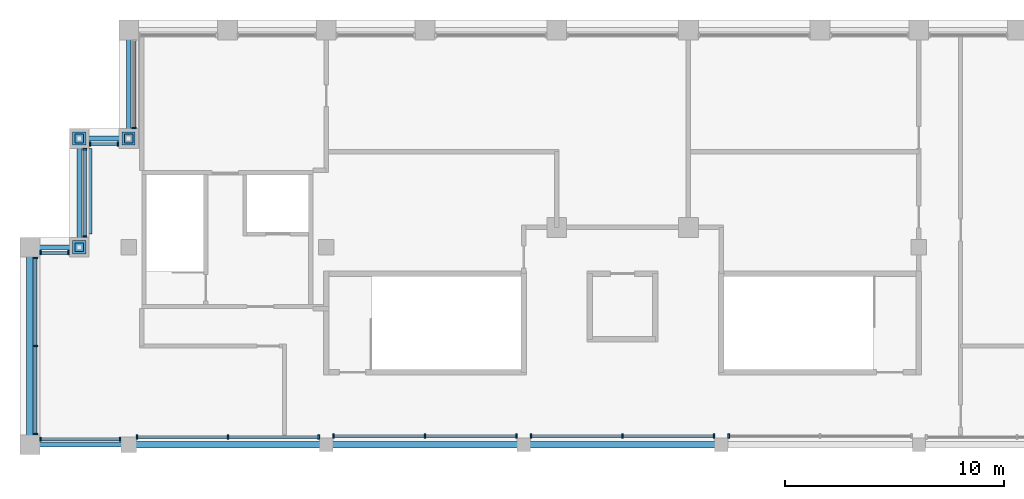
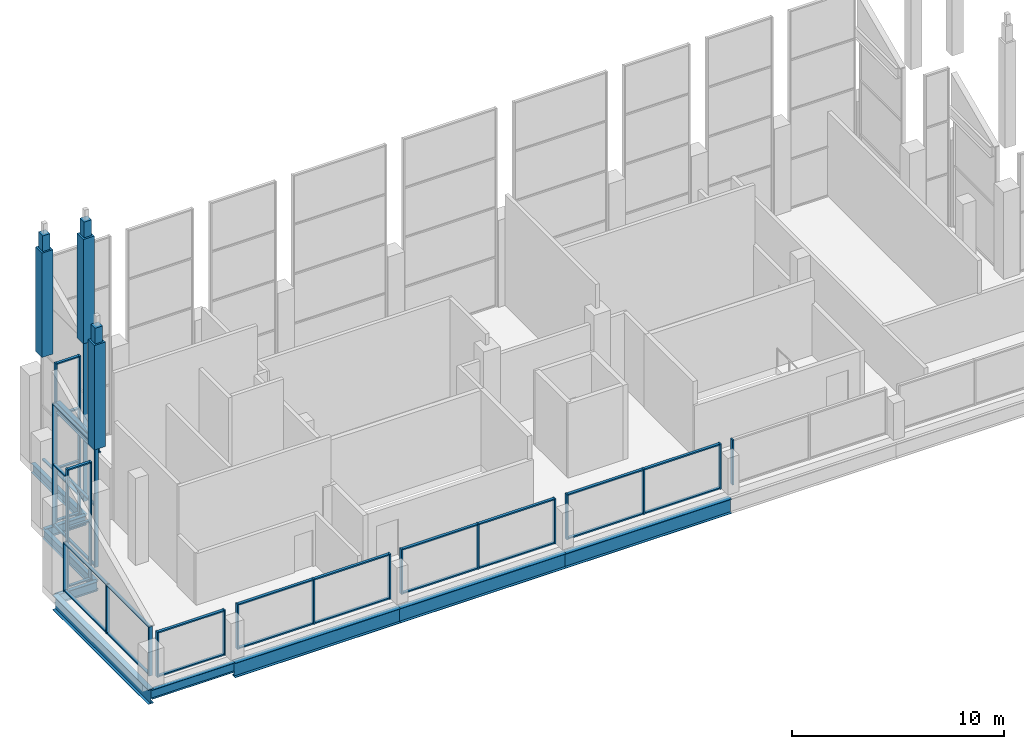
# One storey, part 2 of 9: 57 members, 10 beams, 10 elements without a shape of their own.
"""IFC4 building model written with IfcOpenShell, lengths in metres."""

import ifcopenshell
import ifcopenshell.guid

model = None  # the IFC model being written
_history = None  # IfcOwnerHistory: only IFC2X3 demands one
_inside = {}  # id of a spatial element -> (the spatial element, [elements in it])
_under = {}  # id of a project, library or spatial element -> (it, [spatial elements below it])
_declared = {}  # id of a project -> (the project, [libraries it declares])
_typed = {}  # id of a type object -> (the type object, [elements of that type])
_made_of = {}  # id of a material, layer set ... -> (it, [elements and type objects made of it])


def new_model(schema):
    """Start an empty IFC model of exactly this schema.

    Asked for "IFC4X3", IfcOpenShell would pick the latest addendum, in which some entities
    have other attributes; the version numbers below select the first issue.
    IFC2X3 requires an IfcOwnerHistory on every rooted entity: one is made here for all.
    """
    global model, _history
    if schema == "IFC4X3":
        model = ifcopenshell.file(schema_version=(4, 3, 0, 0))
    else:
        model = ifcopenshell.file(schema=schema)
    _inside.clear()
    _under.clear()
    _declared.clear()
    _typed.clear()
    _made_of.clear()
    _history = None
    if model.schema == "IFC2X3":
        org = make("IfcOrganization", Name="unknown")
        user = make(
            "IfcPersonAndOrganization",
            ThePerson=make("IfcPerson", FamilyName="unknown"),
            TheOrganization=org,
        )
        app = make(
            "IfcApplication",
            ApplicationDeveloper=org,
            Version="unknown",
            ApplicationFullName="unknown",
            ApplicationIdentifier="unknown",
        )
        _history = make(
            "IfcOwnerHistory",
            OwningUser=user,
            OwningApplication=app,
            ChangeAction="ADDED",
            CreationDate=0,
        )
    return model


def make(cls, **values):
    """One entity of the class cls with the attributes given. An attribute that is None is left unset."""
    return model.create_entity(
        cls, **{name: value for name, value in values.items() if value is not None}
    )


def rooted(cls, **values):
    """An entity with a GlobalId (a new one), such as an element, a storey or a relation."""
    return make(cls, GlobalId=ifcopenshell.guid.new(), OwnerHistory=_history, **values)


def si_unit(unit_type, name, prefix=None):
    """IfcSIUnit, for example si_unit("LENGTHUNIT", "METRE", prefix="MILLI")."""
    return make("IfcSIUnit", UnitType=unit_type, Prefix=prefix, Name=name)


def assignment(units):
    """IfcUnitAssignment: the units of a project."""
    return None if units is None else make("IfcUnitAssignment", Units=units)


def point(xyz):
    """IfcCartesianPoint."""
    return None if xyz is None else make("IfcCartesianPoint", Coordinates=xyz)


def direction(xyz):
    """IfcDirection."""
    return None if xyz is None else make("IfcDirection", DirectionRatios=xyz)


def frame(location, z_axis=None, x_axis=None):
    """IfcAxis2Placement3D, a coordinate frame: its origin and axes. An axis left out is left unset."""
    return make(
        "IfcAxis2Placement3D",
        Location=point(location),
        Axis=direction(z_axis),
        RefDirection=direction(x_axis),
    )


def frame_2d(location, x_axis=None):
    """IfcAxis2Placement2D, a coordinate frame in the plane: its origin and x axis."""
    return make(
        "IfcAxis2Placement2D", Location=point(location), RefDirection=direction(x_axis)
    )


def origin():
    """The frame at (0, 0, 0) with its axes left unset."""
    return frame((0.0, 0.0, 0.0))


def origin_2d():
    """The frame at (0, 0) in the plane with its x axis left unset."""
    return frame_2d((0.0, 0.0))


def place(relative_to, where):
    """IfcLocalPlacement: puts the frame where relative to a parent placement (None: the world)."""
    return make(
        "IfcLocalPlacement", PlacementRelTo=relative_to, RelativePlacement=where
    )


def context(
    kind, dimensions, precision=None, world=None, true_north=None, identifier=None
):
    """IfcGeometricRepresentationContext, for example the 3D "Model" context."""
    return make(
        "IfcGeometricRepresentationContext",
        ContextIdentifier=identifier,
        ContextType=kind,
        CoordinateSpaceDimension=dimensions,
        Precision=precision,
        WorldCoordinateSystem=world,
        TrueNorth=true_north,
    )


def subcontext(parent, identifier, kind, view, scale=None):
    """IfcGeometricRepresentationSubContext, for example "Body" below "Model"."""
    return make(
        "IfcGeometricRepresentationSubContext",
        ContextIdentifier=identifier,
        ContextType=kind,
        ParentContext=parent,
        TargetScale=scale,
        TargetView=view,
    )


def project(units=None, contexts=None):
    """IfcProject with its units and contexts."""
    return rooted(
        "IfcProject",
        Name="project",
        RepresentationContexts=contexts,
        UnitsInContext=assignment(units),
    )


def spatial(cls, under=None, at=None, **own):
    """A site, building, storey or space (cls), placed at a placement, below another one or the project."""
    s = rooted(cls, ObjectPlacement=at, **own)
    if under is not None:
        _under.setdefault(under.id(), (under, []))[1].append(s)
    return s


def profile(cls, at=None, kind="AREA", **sizes):
    """A parametric profile (cls). Its sizes go by their IFC names, for example OverallWidth=200.0."""
    return make(cls, ProfileType=kind, Position=at, **sizes)


def rectangle(**sizes):
    """IfcRectangleProfileDef."""
    return profile("IfcRectangleProfileDef", **sizes)


def i_section(**sizes):
    """IfcIShapeProfileDef."""
    return profile("IfcIShapeProfileDef", **sizes)


def extrude(swept, where, along, depth):
    """IfcExtrudedAreaSolid: the profile swept, set in the frame where, extruded along a direction by depth."""
    return make(
        "IfcExtrudedAreaSolid",
        SweptArea=swept,
        Position=where,
        ExtrudedDirection=direction(along),
        Depth=depth,
    )


def shape(context_of_items, identifier, shape_type, items):
    """IfcShapeRepresentation: the items that make up one representation, for example the "Body"."""
    return make(
        "IfcShapeRepresentation",
        ContextOfItems=context_of_items,
        RepresentationIdentifier=identifier,
        RepresentationType=shape_type,
        Items=items,
    )


def material(Name=None, Category=None):
    """IfcMaterial."""
    return make("IfcMaterial", Name=Name, Category=Category)


def layer(
    of_material, thickness, ventilated=None, Name=None, Category=None, Priority=None
):
    """IfcMaterialLayer: one layer of a wall or slab, of a material (None: an air gap)."""
    return make(
        "IfcMaterialLayer",
        Material=of_material,
        LayerThickness=thickness,
        IsVentilated=ventilated,
        Name=Name,
        Category=Category,
        Priority=Priority,
    )


def layer_set(layers, Name=None):
    """IfcMaterialLayerSet."""
    return make("IfcMaterialLayerSet", MaterialLayers=layers, LayerSetName=Name)


def material_profile(
    of_material, cross_section, Name=None, Category=None, Priority=None
):
    """IfcMaterialProfile: a cross section and its material."""
    return make(
        "IfcMaterialProfile",
        Name=Name,
        Material=of_material,
        Profile=cross_section,
        Priority=Priority,
        Category=Category,
    )


def profile_set(profiles, Name=None, composite=None):
    """IfcMaterialProfileSet."""
    return make(
        "IfcMaterialProfileSet",
        Name=Name,
        MaterialProfiles=profiles,
        CompositeProfile=composite,
    )


def made_of(thing, what):
    """Note that an element or type object is made of a material, layer set ...; save() writes the relation."""
    if what is not None:
        _made_of.setdefault(what.id(), (what, []))[1].append(thing)
    return thing


def type_object(cls, material=None, **own):
    """A type object (cls), such as IfcWallType, which elements share."""
    return made_of(rooted(cls, **own), material)


def element(
    cls,
    number,
    at=None,
    inside=None,
    cuts=None,
    type_object=None,
    material=None,
    context=None,
    identifier="Body",
    shape_type=None,
    held_by="IfcProductDefinitionShape",
    body=None,
    shapes=None,
    **own,
):
    """One element of the class cls, such as IfcWall. Its Tag is "e" and its number.

    at: its placement. inside: the storey or other place that contains it. cuts: it is an
    opening in that element (IfcRelVoidsElement). A single representation is given by context,
    identifier, shape_type and body (its items); several are given by shapes. held_by: the class
    of the entity that holds the representations. save() writes the other relations.
    """
    e = rooted(cls, Tag="e%d" % number, ObjectPlacement=at, **own)
    if body is not None:
        shapes = [shape(context, identifier, shape_type, body)]
    if shapes is not None:
        e.Representation = make(held_by, Representations=shapes)
    if inside is not None:
        _inside.setdefault(inside.id(), (inside, []))[1].append(e)
    if cuts is not None:
        rooted(
            "IfcRelVoidsElement", RelatingBuildingElement=cuts, RelatedOpeningElement=e
        )
    if type_object is not None:
        _typed.setdefault(type_object.id(), (type_object, []))[1].append(e)
    return made_of(e, material)


def aggregate(whole, parts):
    """IfcRelAggregates: a whole, such as a stair, and the parts it consists of."""
    return rooted("IfcRelAggregates", RelatingObject=whole, RelatedObjects=parts)


def save(model, path):
    """Write the relations noted so far, then the file.

    IfcRelAggregates (storeys below a building ...), IfcRelContainedInSpatialStructure (elements
    in a storey), IfcRelDefinesByType, IfcRelAssociatesMaterial and IfcRelDeclares: one each for
    every whole, place, type object, material and project.
    """
    for whole, parts in _under.values():
        aggregate(whole, parts)
    for where, things in _inside.values():
        rooted(
            "IfcRelContainedInSpatialStructure",
            RelatedElements=things,
            RelatingStructure=where,
        )
    for kind, things in _typed.values():
        rooted("IfcRelDefinesByType", RelatedObjects=things, RelatingType=kind)
    for what, things in _made_of.values():
        rooted("IfcRelAssociatesMaterial", RelatedObjects=things, RelatingMaterial=what)
    for by, libraries in _declared.values():
        rooted("IfcRelDeclares", RelatingContext=by, RelatedDefinitions=libraries)
    model.write(path)


model = new_model("IFC4")

# Units and contexts
model_context = context("Model", 3, precision=1e-05, world=origin(), true_north=direction((0.0, 1.0)))
body_context = subcontext(model_context, "Body", "Model", "MODEL_VIEW")
ifc_project = project(units=[si_unit("LENGTHUNIT", "METRE"), si_unit("AREAUNIT", "SQUARE_METRE"), si_unit("VOLUMEUNIT", "CUBIC_METRE"), si_unit("PLANEANGLEUNIT", "RADIAN"), si_unit("MASSUNIT", "GRAM", prefix="KILO")], contexts=[model_context])

# Site, building, storey
site_placement = place(None, origin())
site = spatial("IfcSite", under=ifc_project, at=site_placement, CompositionType="ELEMENT")
building_placement = place(site_placement, origin())
building = spatial("IfcBuilding", under=site, at=building_placement, Name="Corbelhall Arena Tower", CompositionType="ELEMENT")
storey_placement = place(building_placement, frame((0.0, 0.0, 386.0)))
storey = spatial("IfcBuildingStorey", under=building, at=storey_placement, Name="L83", CompositionType="ELEMENT", Elevation=386.0)

# Curtain wall, members
ifc_material_1 = material(Name="Aluminium black anodised", Category="aluminium")
ifc_layer = layer(ifc_material_1, 0.179931640625)
ifc_layer_set = layer_set([ifc_layer], Name="EV-CW3 Crown glazing")
curtain_wall_type = type_object("IfcCurtainWallType", Name="EV-CW3 Crown glazing", PredefinedType="NOTDEFINED", material=ifc_layer_set)
curtain_wall_1_placement = place(storey_placement, origin())
curtain_wall_1 = element("IfcCurtainWall", 1, at=curtain_wall_1_placement, inside=storey, type_object=curtain_wall_type, Name="Curtain wall CW3G", PredefinedType="NOTDEFINED")
ifc_material_profile_1 = material_profile(ifc_material_1, rectangle(XDim=0.199951171875, YDim=0.074951171875, at=origin_2d()))
ifc_profile_set_1 = profile_set([ifc_material_profile_1], Name="Aluminium black anodised")
member_type_1 = type_object("IfcMemberType", Name="EV-CW3-MULLION", PredefinedType="MULLION", material=ifc_profile_set_1)
member_1_placement = place(storey_placement, frame((-24.5, 22.46240234375, 0.0), z_axis=(0.0, 0.0, 1.0), x_axis=(1.0, 0.0, 0.0)))
member_1 = element("IfcMember", 2, at=member_1_placement, type_object=member_type_1, Name="CW3G mullion 1", PredefinedType="MULLION", context=body_context, shape_type="SweptSolid", body=[
    extrude(rectangle(XDim=0.199951171875, YDim=0.074951171875, at=origin_2d()), origin(), (0.0, 0.0, 1.0), 7.02001953125),
])
member_2_placement = place(storey_placement, frame((-24.5, 18.487548828125, 0.0), z_axis=(0.0, 0.0, 1.0), x_axis=(1.0, 0.0, 0.0)))
member_2 = element("IfcMember", 3, at=member_2_placement, type_object=member_type_1, Name="CW3G mullion 2", PredefinedType="MULLION", context=body_context, shape_type="SweptSolid", body=[
    extrude(rectangle(XDim=0.199951171875, YDim=0.074951171875, at=origin_2d()), origin(), (0.0, 0.0, 1.0), 7.02001953125),
])

curtain_wall_2_placement = place(storey_placement, origin())
curtain_wall_2 = element("IfcCurtainWall", 4, at=curtain_wall_2_placement, inside=storey, type_object=curtain_wall_type, Name="Curtain wall CW3C", PredefinedType="NOTDEFINED")
member_3_placement = place(storey_placement, frame((-25.237548828125, 17.75, 0.0), z_axis=(0.0, 0.0, 1.0), x_axis=(0.0, -1.0, 0.0)))
member_3 = element("IfcMember", 5, at=member_3_placement, type_object=member_type_1, Name="CW3C mullion 1", PredefinedType="MULLION", context=body_context, shape_type="SweptSolid", body=[
    extrude(rectangle(XDim=0.199951171875, YDim=0.074951171875, at=origin_2d()), origin(), (0.0, 0.0, 1.0), 6.787109375),
])
member_4_placement = place(storey_placement, frame((-26.512451171875, 17.75, 0.0), z_axis=(0.0, 0.0, 1.0), x_axis=(0.0, -1.0, 0.0)))
member_4 = element("IfcMember", 6, at=member_4_placement, type_object=member_type_1, Name="CW3C mullion 2", PredefinedType="MULLION", context=body_context, shape_type="SweptSolid", body=[
    extrude(rectangle(XDim=0.199951171875, YDim=0.074951171875, at=origin_2d()), origin(), (0.0, 0.0, 1.0), 6.787109375),
])

curtain_wall_3_placement = place(storey_placement, origin())
curtain_wall_3 = element("IfcCurtainWall", 7, at=curtain_wall_3_placement, inside=storey, type_object=curtain_wall_type, Name="Curtain wall CW3F", PredefinedType="NOTDEFINED")
member_5_placement = place(storey_placement, frame((-26.75, 17.512451171875, 0.0), z_axis=(0.0, 0.0, 1.0), x_axis=(1.0, 0.0, 0.0)))
member_5 = element("IfcMember", 8, at=member_5_placement, type_object=member_type_1, Name="CW3F mullion 1", PredefinedType="MULLION", context=body_context, shape_type="SweptSolid", body=[
    extrude(rectangle(XDim=0.199951171875, YDim=0.074951171875, at=origin_2d()), origin(), (0.0, 0.0, 1.0), 2.826416015625),
])
member_6_placement = place(storey_placement, frame((-26.75, 13.5, 0.0), z_axis=(0.0, 0.0, 1.0), x_axis=(1.0, 0.0, 0.0)))
member_6 = element("IfcMember", 9, at=member_6_placement, type_object=member_type_1, Name="CW3F mullion 2", PredefinedType="MULLION", context=body_context, shape_type="SweptSolid", body=[
    extrude(rectangle(XDim=0.199951171875, YDim=0.074951171875, at=origin_2d()), origin(), (0.0, 0.0, 1.0), 2.826416015625),
])
member_7_placement = place(storey_placement, frame((-26.75, 9.487548828125, 0.0), z_axis=(0.0, 0.0, 1.0), x_axis=(1.0, 0.0, 0.0)))
member_7 = element("IfcMember", 10, at=member_7_placement, type_object=member_type_1, Name="CW3F mullion 3", PredefinedType="MULLION", context=body_context, shape_type="SweptSolid", body=[
    extrude(rectangle(XDim=0.199951171875, YDim=0.074951171875, at=origin_2d()), origin(), (0.0, 0.0, 1.0), 2.826416015625),
])

curtain_wall_4_placement = place(storey_placement, origin())
curtain_wall_4 = element("IfcCurtainWall", 11, at=curtain_wall_4_placement, inside=storey, type_object=curtain_wall_type, Name="Curtain wall CW3E", PredefinedType="NOTDEFINED")
member_8_placement = place(storey_placement, frame((-26.512451171875, 9.25, 0.0), z_axis=(0.0, 0.0, 1.0), x_axis=(0.0, 1.0, 0.0)))
member_8 = element("IfcMember", 12, at=member_8_placement, type_object=member_type_1, Name="CW3E mullion 1", PredefinedType="MULLION", context=body_context, shape_type="SweptSolid", body=[
    extrude(rectangle(XDim=0.199951171875, YDim=0.074951171875, at=origin_2d()), origin(), (0.0, 0.0, 1.0), 2.593505859375),
])
member_9_placement = place(storey_placement, frame((-22.887451171875, 9.25, 0.0), z_axis=(0.0, 0.0, 1.0), x_axis=(0.0, 1.0, 0.0)))
member_9 = element("IfcMember", 13, at=member_9_placement, type_object=member_type_1, Name="CW3E mullion 2", PredefinedType="MULLION", context=body_context, shape_type="SweptSolid", body=[
    extrude(rectangle(XDim=0.199951171875, YDim=0.074951171875, at=origin_2d()), origin(), (0.0, 0.0, 1.0), 2.593505859375),
])

curtain_wall_5_placement = place(storey_placement, origin())
curtain_wall_5 = element("IfcCurtainWall", 14, at=curtain_wall_5_placement, inside=storey, type_object=curtain_wall_type, Name="Curtain wall CW3I", PredefinedType="NOTDEFINED")
member_10_placement = place(storey_placement, frame((-22.112548828125, 9.35009765625, 0.0), z_axis=(0.0, 0.0, 1.0), x_axis=(0.0, 1.0, 0.0)))
member_10 = element("IfcMember", 15, at=member_10_placement, type_object=member_type_1, Name="CW3I mullion 1", PredefinedType="MULLION", context=body_context, shape_type="SweptSolid", body=[
    extrude(rectangle(XDim=0.199951171875, YDim=0.074951171875, at=origin_2d()), origin(), (0.0, 0.0, 1.0), 2.593505859375),
])
member_11_placement = place(storey_placement, frame((-17.97509765625, 9.35009765625, 0.0), z_axis=(0.0, 0.0, 1.0), x_axis=(0.0, 1.0, 0.0)))
member_11 = element("IfcMember", 16, at=member_11_placement, type_object=member_type_1, Name="CW3I mullion 2", PredefinedType="MULLION", context=body_context, shape_type="SweptSolid", body=[
    extrude(rectangle(XDim=0.199951171875, YDim=0.074951171875, at=origin_2d()), origin(), (0.0, 0.0, 1.0), 2.593505859375),
])
member_12_placement = place(storey_placement, frame((-13.83740234375, 9.35009765625, 0.0), z_axis=(0.0, 0.0, 1.0), x_axis=(0.0, 1.0, 0.0)))
member_12 = element("IfcMember", 17, at=member_12_placement, type_object=member_type_1, Name="CW3I mullion 3", PredefinedType="MULLION", context=body_context, shape_type="SweptSolid", body=[
    extrude(rectangle(XDim=0.199951171875, YDim=0.074951171875, at=origin_2d()), origin(), (0.0, 0.0, 1.0), 2.593505859375),
])

curtain_wall_6_placement = place(storey_placement, origin())
curtain_wall_6 = element("IfcCurtainWall", 18, at=curtain_wall_6_placement, inside=storey, type_object=curtain_wall_type, Name="Curtain wall CW3A", PredefinedType="NOTDEFINED")
member_13_placement = place(storey_placement, frame((-13.16259765625, 9.39990234375, 0.0), z_axis=(0.0, 0.0, 1.0), x_axis=(0.0, 1.0, 0.0)))
member_13 = element("IfcMember", 19, at=member_13_placement, type_object=member_type_1, Name="CW3A mullion 1", PredefinedType="MULLION", context=body_context, shape_type="SweptSolid", body=[
    extrude(rectangle(XDim=0.199951171875, YDim=0.074951171875, at=origin_2d()), origin(), (0.0, 0.0, 1.0), 2.593505859375),
])
member_14_placement = place(storey_placement, frame((-9.0, 9.39990234375, 0.0), z_axis=(0.0, 0.0, 1.0), x_axis=(0.0, 1.0, 0.0)))
member_14 = element("IfcMember", 20, at=member_14_placement, type_object=member_type_1, Name="CW3A mullion 2", PredefinedType="MULLION", context=body_context, shape_type="SweptSolid", body=[
    extrude(rectangle(XDim=0.199951171875, YDim=0.074951171875, at=origin_2d()), origin(), (0.0, 0.0, 1.0), 2.593505859375),
])
member_15_placement = place(storey_placement, frame((-4.83740234375, 9.39990234375, 0.0), z_axis=(0.0, 0.0, 1.0), x_axis=(0.0, 1.0, 0.0)))
member_15 = element("IfcMember", 21, at=member_15_placement, type_object=member_type_1, Name="CW3A mullion 3", PredefinedType="MULLION", context=body_context, shape_type="SweptSolid", body=[
    extrude(rectangle(XDim=0.199951171875, YDim=0.074951171875, at=origin_2d()), origin(), (0.0, 0.0, 1.0), 2.593505859375),
])

curtain_wall_7_placement = place(storey_placement, origin())
curtain_wall_7 = element("IfcCurtainWall", 22, at=curtain_wall_7_placement, inside=storey, type_object=curtain_wall_type, Name="Curtain wall CW3A", PredefinedType="NOTDEFINED")
member_16_placement = place(storey_placement, frame((-4.16259765625, 9.39990234375, 0.0), z_axis=(0.0, 0.0, 1.0), x_axis=(0.0, 1.0, 0.0)))
member_16 = element("IfcMember", 23, at=member_16_placement, type_object=member_type_1, Name="CW3A mullion 1", PredefinedType="MULLION", context=body_context, shape_type="SweptSolid", body=[
    extrude(rectangle(XDim=0.199951171875, YDim=0.074951171875, at=origin_2d()), origin(), (0.0, 0.0, 1.0), 2.593505859375),
])
member_17_placement = place(storey_placement, frame((0.0, 9.39990234375, 0.0), z_axis=(0.0, 0.0, 1.0), x_axis=(0.0, 1.0, 0.0)))
member_17 = element("IfcMember", 24, at=member_17_placement, type_object=member_type_1, Name="CW3A mullion 2", PredefinedType="MULLION", context=body_context, shape_type="SweptSolid", body=[
    extrude(rectangle(XDim=0.199951171875, YDim=0.074951171875, at=origin_2d()), origin(), (0.0, 0.0, 1.0), 2.593505859375),
])
member_18_placement = place(storey_placement, frame((4.16259765625, 9.39990234375, 0.0), z_axis=(0.0, 0.0, 1.0), x_axis=(0.0, 1.0, 0.0)))
member_18 = element("IfcMember", 25, at=member_18_placement, type_object=member_type_1, Name="CW3A mullion 3", PredefinedType="MULLION", context=body_context, shape_type="SweptSolid", body=[
    extrude(rectangle(XDim=0.199951171875, YDim=0.074951171875, at=origin_2d()), origin(), (0.0, 0.0, 1.0), 2.593505859375),
])

# Curtain wall, member
curtain_wall_8_placement = place(storey_placement, origin())
curtain_wall_8 = element("IfcCurtainWall", 26, at=curtain_wall_8_placement, inside=storey, type_object=curtain_wall_type, Name="Curtain wall CW3A", PredefinedType="NOTDEFINED")
member_19_placement = place(storey_placement, frame((4.83740234375, 9.39990234375, 0.0), z_axis=(0.0, 0.0, 1.0), x_axis=(0.0, 1.0, 0.0)))
member_19 = element("IfcMember", 27, at=member_19_placement, type_object=member_type_1, Name="CW3A mullion 1", PredefinedType="MULLION", context=body_context, shape_type="SweptSolid", body=[
    extrude(rectangle(XDim=0.199951171875, YDim=0.074951171875, at=origin_2d()), origin(), (0.0, 0.0, 1.0), 2.593505859375),
])
aggregate(curtain_wall_8, [member_19])

curtain_wall_9_placement = place(storey_placement, origin())
curtain_wall_9 = element("IfcCurtainWall", 28, at=curtain_wall_9_placement, inside=storey, type_object=curtain_wall_type, Name="Curtain wall CW3H", PredefinedType="NOTDEFINED")
member_20_placement = place(storey_placement, frame((-22.25, 23.4375, 0.0), z_axis=(0.0, 0.0, 1.0), x_axis=(1.0, 0.0, 0.0)))
member_20 = element("IfcMember", 29, at=member_20_placement, type_object=member_type_1, Name="CW3H mullion 2", PredefinedType="MULLION", context=body_context, shape_type="SweptSolid", body=[
    extrude(rectangle(XDim=0.199951171875, YDim=0.074951171875, at=origin_2d()), origin(), (0.0, 0.0, 1.0), 9.326416015625),
])

# Curtain wall, members
curtain_wall_10_placement = place(storey_placement, origin())
curtain_wall_10 = element("IfcCurtainWall", 30, at=curtain_wall_10_placement, inside=storey, type_object=curtain_wall_type, Name="Curtain wall CW3D", PredefinedType="NOTDEFINED")
member_21_placement = place(storey_placement, frame((-22.987548828125, 22.699951171875, 0.0), z_axis=(0.0, 0.0, 1.0), x_axis=(0.0, -1.0, 0.0)))
member_21 = element("IfcMember", 31, at=member_21_placement, type_object=member_type_1, Name="CW3D mullion 1", PredefinedType="MULLION", context=body_context, shape_type="SweptSolid", body=[
    extrude(rectangle(XDim=0.199951171875, YDim=0.074951171875, at=origin_2d()), origin(), (0.0, 0.0, 1.0), 9.093505859375),
])
member_22_placement = place(storey_placement, frame((-24.262451171875, 22.699951171875, 0.0), z_axis=(0.0, 0.0, 1.0), x_axis=(0.0, -1.0, 0.0)))
member_22 = element("IfcMember", 32, at=member_22_placement, type_object=member_type_1, Name="CW3D mullion 2", PredefinedType="MULLION", context=body_context, shape_type="SweptSolid", body=[
    extrude(rectangle(XDim=0.199951171875, YDim=0.074951171875, at=origin_2d()), origin(), (0.0, 0.0, 1.0), 9.093505859375),
])

# Member
ifc_material_profile_2 = material_profile(ifc_material_1, rectangle(XDim=0.14990234375, YDim=0.074951171875, at=origin_2d()))
ifc_profile_set_2 = profile_set([ifc_material_profile_2], Name="Aluminium black anodised")
member_type_2 = type_object("IfcMemberType", Name="EV-CW3-TRANSOM", PredefinedType="USERDEFINED", material=ifc_profile_set_2)
member_23_placement = place(storey_placement, frame((-24.5, 22.425048828125, 0.03759765625), z_axis=(0.0, -1.0, 0.0), x_axis=(1.0, 0.0, 0.0)))
member_23 = element("IfcMember", 33, at=member_23_placement, type_object=member_type_2, Name="CW3G transom 1.1", ObjectType="transom", PredefinedType="USERDEFINED", context=body_context, shape_type="SweptSolid", body=[
    extrude(rectangle(XDim=0.14990234375, YDim=0.074951171875, at=origin_2d()), origin(), (0.0, 0.0, 1.0), 3.900146484375),
])

member_24_placement = place(storey_placement, frame((-24.5, 22.425048828125, 3.510009765625), z_axis=(0.0, -1.0, 0.0), x_axis=(1.0, 0.0, 0.0)))
member_24 = element("IfcMember", 34, at=member_24_placement, type_object=member_type_2, Name="CW3G transom 1.2", ObjectType="transom", PredefinedType="USERDEFINED", context=body_context, shape_type="SweptSolid", body=[
    extrude(rectangle(XDim=0.14990234375, YDim=0.074951171875, at=origin_2d()), origin(), (0.0, 0.0, 1.0), 3.900146484375),
])

member_25_placement = place(storey_placement, frame((-24.5, 22.425048828125, 6.982666015625), z_axis=(0.0, -1.0, 0.0), x_axis=(1.0, 0.0, 0.0)))
member_25 = element("IfcMember", 35, at=member_25_placement, type_object=member_type_2, Name="CW3G transom 1.3", ObjectType="transom", PredefinedType="USERDEFINED", context=body_context, shape_type="SweptSolid", body=[
    extrude(rectangle(XDim=0.14990234375, YDim=0.074951171875, at=origin_2d()), origin(), (0.0, 0.0, 1.0), 3.900146484375),
])

aggregate(curtain_wall_1, [member_1, member_2, member_23, member_24, member_25])

member_26_placement = place(storey_placement, frame((-25.27490234375, 17.75, 0.03759765625), z_axis=(-1.0, 0.0, 0.0), x_axis=(0.0, -1.0, 0.0)))
member_26 = element("IfcMember", 36, at=member_26_placement, type_object=member_type_2, Name="CW3C transom 1.1", ObjectType="transom", PredefinedType="USERDEFINED", context=body_context, shape_type="SweptSolid", body=[
    extrude(rectangle(XDim=0.14990234375, YDim=0.074951171875, at=origin_2d()), origin(), (0.0, 0.0, 1.0), 1.2001953125),
])

member_27_placement = place(storey_placement, frame((-25.27490234375, 17.75, 3.3935546875), z_axis=(-1.0, 0.0, 0.0), x_axis=(0.0, -1.0, 0.0)))
member_27 = element("IfcMember", 37, at=member_27_placement, type_object=member_type_2, Name="CW3C transom 1.2", ObjectType="transom", PredefinedType="USERDEFINED", context=body_context, shape_type="SweptSolid", body=[
    extrude(rectangle(XDim=0.14990234375, YDim=0.074951171875, at=origin_2d()), origin(), (0.0, 0.0, 1.0), 1.2001953125),
])

member_28_placement = place(storey_placement, frame((-25.27490234375, 17.75, 6.74951171875), z_axis=(-1.0, 0.0, 0.0), x_axis=(0.0, -1.0, 0.0)))
member_28 = element("IfcMember", 38, at=member_28_placement, type_object=member_type_2, Name="CW3C transom 1.3", ObjectType="transom", PredefinedType="USERDEFINED", context=body_context, shape_type="SweptSolid", body=[
    extrude(rectangle(XDim=0.14990234375, YDim=0.074951171875, at=origin_2d()), origin(), (0.0, 0.0, 1.0), 1.2001953125),
])

aggregate(curtain_wall_2, [member_3, member_4, member_26, member_27, member_28])

member_29_placement = place(storey_placement, frame((-26.75, 17.47509765625, 0.03759765625), z_axis=(0.0, -1.0, 0.0), x_axis=(1.0, 0.0, 0.0)))
member_29 = element("IfcMember", 39, at=member_29_placement, type_object=member_type_2, Name="CW3F transom 1.1", ObjectType="transom", PredefinedType="USERDEFINED", context=body_context, shape_type="SweptSolid", body=[
    extrude(rectangle(XDim=0.14990234375, YDim=0.074951171875, at=origin_2d()), origin(), (0.0, 0.0, 1.0), 3.9375),
])

member_30_placement = place(storey_placement, frame((-26.75, 17.47509765625, 2.7890625), z_axis=(0.0, -1.0, 0.0), x_axis=(1.0, 0.0, 0.0)))
member_30 = element("IfcMember", 40, at=member_30_placement, type_object=member_type_2, Name="CW3F transom 1.2", ObjectType="transom", PredefinedType="USERDEFINED", context=body_context, shape_type="SweptSolid", body=[
    extrude(rectangle(XDim=0.14990234375, YDim=0.074951171875, at=origin_2d()), origin(), (0.0, 0.0, 1.0), 3.9375),
])

member_31_placement = place(storey_placement, frame((-26.75, 13.46240234375, 0.03759765625), z_axis=(0.0, -1.0, 0.0), x_axis=(1.0, 0.0, 0.0)))
member_31 = element("IfcMember", 41, at=member_31_placement, type_object=member_type_2, Name="CW3F transom 2.1", ObjectType="transom", PredefinedType="USERDEFINED", context=body_context, shape_type="SweptSolid", body=[
    extrude(rectangle(XDim=0.14990234375, YDim=0.074951171875, at=origin_2d()), origin(), (0.0, 0.0, 1.0), 3.9375),
])

member_32_placement = place(storey_placement, frame((-26.75, 13.46240234375, 2.7890625), z_axis=(0.0, -1.0, 0.0), x_axis=(1.0, 0.0, 0.0)))
member_32 = element("IfcMember", 42, at=member_32_placement, type_object=member_type_2, Name="CW3F transom 2.2", ObjectType="transom", PredefinedType="USERDEFINED", context=body_context, shape_type="SweptSolid", body=[
    extrude(rectangle(XDim=0.14990234375, YDim=0.074951171875, at=origin_2d()), origin(), (0.0, 0.0, 1.0), 3.9375),
])

aggregate(curtain_wall_3, [member_5, member_6, member_7, member_29, member_30, member_31, member_32])

member_33_placement = place(storey_placement, frame((-26.47509765625, 9.25, 0.03759765625), z_axis=(1.0, 0.0, 0.0), x_axis=(0.0, 1.0, 0.0)))
member_33 = element("IfcMember", 43, at=member_33_placement, type_object=member_type_2, Name="CW3E transom 1.1", ObjectType="transom", PredefinedType="USERDEFINED", context=body_context, shape_type="SweptSolid", body=[
    extrude(rectangle(XDim=0.14990234375, YDim=0.074951171875, at=origin_2d()), origin(), (0.0, 0.0, 1.0), 3.550048828125),
])

member_34_placement = place(storey_placement, frame((-26.47509765625, 9.25, 2.55615234375), z_axis=(1.0, 0.0, 0.0), x_axis=(0.0, 1.0, 0.0)))
member_34 = element("IfcMember", 44, at=member_34_placement, type_object=member_type_2, Name="CW3E transom 1.2", ObjectType="transom", PredefinedType="USERDEFINED", context=body_context, shape_type="SweptSolid", body=[
    extrude(rectangle(XDim=0.14990234375, YDim=0.074951171875, at=origin_2d()), origin(), (0.0, 0.0, 1.0), 3.550048828125),
])

aggregate(curtain_wall_4, [member_8, member_9, member_33, member_34])

member_35_placement = place(storey_placement, frame((-22.074951171875, 9.35009765625, 0.03759765625), z_axis=(1.0, 0.0, 0.0), x_axis=(0.0, 1.0, 0.0)))
member_35 = element("IfcMember", 45, at=member_35_placement, type_object=member_type_2, Name="CW3I transom 1.1", ObjectType="transom", PredefinedType="USERDEFINED", context=body_context, shape_type="SweptSolid", body=[
    extrude(rectangle(XDim=0.14990234375, YDim=0.074951171875, at=origin_2d()), origin(), (0.0, 0.0, 1.0), 4.0625),
])

member_36_placement = place(storey_placement, frame((-22.074951171875, 9.35009765625, 2.55615234375), z_axis=(1.0, 0.0, 0.0), x_axis=(0.0, 1.0, 0.0)))
member_36 = element("IfcMember", 46, at=member_36_placement, type_object=member_type_2, Name="CW3I transom 1.2", ObjectType="transom", PredefinedType="USERDEFINED", context=body_context, shape_type="SweptSolid", body=[
    extrude(rectangle(XDim=0.14990234375, YDim=0.074951171875, at=origin_2d()), origin(), (0.0, 0.0, 1.0), 4.0625),
])

member_37_placement = place(storey_placement, frame((-17.9375, 9.35009765625, 0.03759765625), z_axis=(1.0, 0.0, 0.0), x_axis=(0.0, 1.0, 0.0)))
member_37 = element("IfcMember", 47, at=member_37_placement, type_object=member_type_2, Name="CW3I transom 2.1", ObjectType="transom", PredefinedType="USERDEFINED", context=body_context, shape_type="SweptSolid", body=[
    extrude(rectangle(XDim=0.14990234375, YDim=0.074951171875, at=origin_2d()), origin(), (0.0, 0.0, 1.0), 4.0625),
])

member_38_placement = place(storey_placement, frame((-17.9375, 9.35009765625, 2.55615234375), z_axis=(1.0, 0.0, 0.0), x_axis=(0.0, 1.0, 0.0)))
member_38 = element("IfcMember", 48, at=member_38_placement, type_object=member_type_2, Name="CW3I transom 2.2", ObjectType="transom", PredefinedType="USERDEFINED", context=body_context, shape_type="SweptSolid", body=[
    extrude(rectangle(XDim=0.14990234375, YDim=0.074951171875, at=origin_2d()), origin(), (0.0, 0.0, 1.0), 4.0625),
])

aggregate(curtain_wall_5, [member_10, member_11, member_12, member_35, member_36, member_37, member_38])

member_39_placement = place(storey_placement, frame((-13.125, 9.39990234375, 0.03759765625), z_axis=(1.0, 0.0, 0.0), x_axis=(0.0, 1.0, 0.0)))
member_39 = element("IfcMember", 49, at=member_39_placement, type_object=member_type_2, Name="CW3A transom 1.1", ObjectType="transom", PredefinedType="USERDEFINED", context=body_context, shape_type="SweptSolid", body=[
    extrude(rectangle(XDim=0.14990234375, YDim=0.074951171875, at=origin_2d()), origin(), (0.0, 0.0, 1.0), 4.08740234375),
])

member_40_placement = place(storey_placement, frame((-13.125, 9.39990234375, 2.55615234375), z_axis=(1.0, 0.0, 0.0), x_axis=(0.0, 1.0, 0.0)))
member_40 = element("IfcMember", 50, at=member_40_placement, type_object=member_type_2, Name="CW3A transom 1.2", ObjectType="transom", PredefinedType="USERDEFINED", context=body_context, shape_type="SweptSolid", body=[
    extrude(rectangle(XDim=0.14990234375, YDim=0.074951171875, at=origin_2d()), origin(), (0.0, 0.0, 1.0), 4.08740234375),
])

member_41_placement = place(storey_placement, frame((-8.96240234375, 9.39990234375, 0.03759765625), z_axis=(1.0, 0.0, 0.0), x_axis=(0.0, 1.0, 0.0)))
member_41 = element("IfcMember", 51, at=member_41_placement, type_object=member_type_2, Name="CW3A transom 2.1", ObjectType="transom", PredefinedType="USERDEFINED", context=body_context, shape_type="SweptSolid", body=[
    extrude(rectangle(XDim=0.14990234375, YDim=0.074951171875, at=origin_2d()), origin(), (0.0, 0.0, 1.0), 4.08740234375),
])

member_42_placement = place(storey_placement, frame((-8.96240234375, 9.39990234375, 2.55615234375), z_axis=(1.0, 0.0, 0.0), x_axis=(0.0, 1.0, 0.0)))
member_42 = element("IfcMember", 52, at=member_42_placement, type_object=member_type_2, Name="CW3A transom 2.2", ObjectType="transom", PredefinedType="USERDEFINED", context=body_context, shape_type="SweptSolid", body=[
    extrude(rectangle(XDim=0.14990234375, YDim=0.074951171875, at=origin_2d()), origin(), (0.0, 0.0, 1.0), 4.08740234375),
])

aggregate(curtain_wall_6, [member_13, member_14, member_15, member_39, member_40, member_41, member_42])

member_43_placement = place(storey_placement, frame((-4.125, 9.39990234375, 0.03759765625), z_axis=(1.0, 0.0, 0.0), x_axis=(0.0, 1.0, 0.0)))
member_43 = element("IfcMember", 53, at=member_43_placement, type_object=member_type_2, Name="CW3A transom 1.1", ObjectType="transom", PredefinedType="USERDEFINED", context=body_context, shape_type="SweptSolid", body=[
    extrude(rectangle(XDim=0.14990234375, YDim=0.074951171875, at=origin_2d()), origin(), (0.0, 0.0, 1.0), 4.08740234375),
])

member_44_placement = place(storey_placement, frame((-4.125, 9.39990234375, 2.55615234375), z_axis=(1.0, 0.0, 0.0), x_axis=(0.0, 1.0, 0.0)))
member_44 = element("IfcMember", 54, at=member_44_placement, type_object=member_type_2, Name="CW3A transom 1.2", ObjectType="transom", PredefinedType="USERDEFINED", context=body_context, shape_type="SweptSolid", body=[
    extrude(rectangle(XDim=0.14990234375, YDim=0.074951171875, at=origin_2d()), origin(), (0.0, 0.0, 1.0), 4.08740234375),
])

member_45_placement = place(storey_placement, frame((0.03759765625, 9.39990234375, 0.03759765625), z_axis=(1.0, 0.0, 0.0), x_axis=(0.0, 1.0, 0.0)))
member_45 = element("IfcMember", 55, at=member_45_placement, type_object=member_type_2, Name="CW3A transom 2.1", ObjectType="transom", PredefinedType="USERDEFINED", context=body_context, shape_type="SweptSolid", body=[
    extrude(rectangle(XDim=0.14990234375, YDim=0.074951171875, at=origin_2d()), origin(), (0.0, 0.0, 1.0), 4.08740234375),
])

member_46_placement = place(storey_placement, frame((0.03759765625, 9.39990234375, 2.55615234375), z_axis=(1.0, 0.0, 0.0), x_axis=(0.0, 1.0, 0.0)))
member_46 = element("IfcMember", 56, at=member_46_placement, type_object=member_type_2, Name="CW3A transom 2.2", ObjectType="transom", PredefinedType="USERDEFINED", context=body_context, shape_type="SweptSolid", body=[
    extrude(rectangle(XDim=0.14990234375, YDim=0.074951171875, at=origin_2d()), origin(), (0.0, 0.0, 1.0), 4.08740234375),
])

aggregate(curtain_wall_7, [member_16, member_17, member_18, member_43, member_44, member_45, member_46])

member_47_placement = place(storey_placement, frame((-22.25, 27.375, 0.03759765625), z_axis=(0.0, -1.0, 0.0), x_axis=(1.0, 0.0, 0.0)))
member_47 = element("IfcMember", 57, at=member_47_placement, type_object=member_type_2, Name="CW3H transom 1.1", ObjectType="transom", PredefinedType="USERDEFINED", context=body_context, shape_type="SweptSolid", body=[
    extrude(rectangle(XDim=0.14990234375, YDim=0.074951171875, at=origin_2d()), origin(), (0.0, 0.0, 1.0), 3.89990234375),
])

aggregate(curtain_wall_9, [member_20, member_47])

member_48_placement = place(storey_placement, frame((-23.02490234375, 22.699951171875, 0.03759765625), z_axis=(-1.0, 0.0, 0.0), x_axis=(0.0, -1.0, 0.0)))
member_48 = element("IfcMember", 58, at=member_48_placement, type_object=member_type_2, Name="CW3D transom 1.1", ObjectType="transom", PredefinedType="USERDEFINED", context=body_context, shape_type="SweptSolid", body=[
    extrude(rectangle(XDim=0.14990234375, YDim=0.074951171875, at=origin_2d()), origin(), (0.0, 0.0, 1.0), 1.2001953125),
])

member_49_placement = place(storey_placement, frame((-23.02490234375, 22.699951171875, 3.03125), z_axis=(-1.0, 0.0, 0.0), x_axis=(0.0, -1.0, 0.0)))
member_49 = element("IfcMember", 59, at=member_49_placement, type_object=member_type_2, Name="CW3D transom 1.2", ObjectType="transom", PredefinedType="USERDEFINED", context=body_context, shape_type="SweptSolid", body=[
    extrude(rectangle(XDim=0.14990234375, YDim=0.074951171875, at=origin_2d()), origin(), (0.0, 0.0, 1.0), 1.2001953125),
])

member_50_placement = place(storey_placement, frame((-23.02490234375, 22.699951171875, 6.062255859375), z_axis=(-1.0, 0.0, 0.0), x_axis=(0.0, -1.0, 0.0)))
member_50 = element("IfcMember", 60, at=member_50_placement, type_object=member_type_2, Name="CW3D transom 1.3", ObjectType="transom", PredefinedType="USERDEFINED", context=body_context, shape_type="SweptSolid", body=[
    extrude(rectangle(XDim=0.14990234375, YDim=0.074951171875, at=origin_2d()), origin(), (0.0, 0.0, 1.0), 1.2001953125),
])

member_51_placement = place(storey_placement, frame((-23.02490234375, 22.699951171875, 9.05615234375), z_axis=(-1.0, 0.0, 0.0), x_axis=(0.0, -1.0, 0.0)))
member_51 = element("IfcMember", 61, at=member_51_placement, type_object=member_type_2, Name="CW3D transom 1.4", ObjectType="transom", PredefinedType="USERDEFINED", context=body_context, shape_type="SweptSolid", body=[
    extrude(rectangle(XDim=0.14990234375, YDim=0.074951171875, at=origin_2d()), origin(), (0.0, 0.0, 1.0), 1.2001953125),
])

aggregate(curtain_wall_10, [member_21, member_22, member_48, member_49, member_50, member_51])

# Members
ifc_material_2 = material(Name="Cast aluminium bronze finish", Category="aluminium")
ifc_material_profile_3 = material_profile(ifc_material_2, rectangle(XDim=0.60009765625, YDim=0.60009765625, at=origin_2d()))
ifc_profile_set_3 = profile_set([ifc_material_profile_3], Name="Cast aluminium bronze finish")
member_type_3 = type_object("IfcMemberType", Name="EV-PN1 Pinnacle", PredefinedType="USERDEFINED", material=ifc_profile_set_3)
for number, where, z_axis, x_axis, name in (
    (62, (-22.5, 22.949951171875, 9.693603515625), (0.0, 0.0, 1.0), (1.0, 0.0, 0.0), "Pinnacle"),
    (63, (-24.75, 22.949951171875, 9.693603515625), (0.0, 0.0, 1.0), (1.0, 0.0, 0.0), "Pinnacle"),
    (64, (-24.75, 18.0, 7.38720703125), (0.0, 0.0, 1.0), (1.0, 0.0, 0.0), "Pinnacle"),
):
    element("IfcMember", number, at=place(storey_placement, frame(where, z_axis=z_axis, x_axis=x_axis)), inside=storey, type_object=member_type_3, Name=name, ObjectType="pinnacle", PredefinedType="USERDEFINED", context=body_context, shape_type="SweptSolid", body=[
        extrude(rectangle(XDim=0.60009765625, YDim=0.60009765625, at=origin_2d()), origin(), (0.0, 0.0, 1.0), 6.0),
    ])
ifc_material_profile_4 = material_profile(ifc_material_2, rectangle(XDim=0.39990234375, YDim=0.39990234375, at=origin_2d()))
ifc_profile_set_4 = profile_set([ifc_material_profile_4], Name="Cast aluminium bronze finish")
member_type_4 = type_object("IfcMemberType", Name="EV-PN6 Pinnacle upper stage 400", PredefinedType="USERDEFINED", material=ifc_profile_set_4)
for number, where, z_axis, x_axis, name in (
    (65, (-22.5, 22.949951171875, 15.693603515625), (0.0, 0.0, 1.0), (1.0, 0.0, 0.0), "Pinnacle upper stage"),
    (66, (-24.75, 22.949951171875, 15.693603515625), (0.0, 0.0, 1.0), (1.0, 0.0, 0.0), "Pinnacle upper stage"),
    (67, (-24.75, 18.0, 13.38720703125), (0.0, 0.0, 1.0), (1.0, 0.0, 0.0), "Pinnacle upper stage"),
):
    element("IfcMember", number, at=place(storey_placement, frame(where, z_axis=z_axis, x_axis=x_axis)), inside=storey, type_object=member_type_4, Name=name, ObjectType="pinnacle stage", PredefinedType="USERDEFINED", context=body_context, shape_type="SweptSolid", body=[
        extrude(rectangle(XDim=0.39990234375, YDim=0.39990234375, at=origin_2d()), origin(), (0.0, 0.0, 1.0), 0.89990234375),
    ])

# Beams
ifc_material_3 = material(Name="Steel ASTM A992 Gr50", Category="steel")
ifc_material_profile_5 = material_profile(ifc_material_3, i_section(OverallWidth=0.23046875, OverallDepth=0.6171875, WebThickness=0.01318359375, FlangeThickness=0.022216796875, at=origin_2d()))
ifc_profile_set_5 = profile_set([ifc_material_profile_5], Name="Steel ASTM A992 Gr50")
beam_type_1 = type_object("IfcBeamType", Name="ST-BEAM-W24x94", PredefinedType="BEAM", material=ifc_profile_set_5)
beam_1_placement = place(storey_placement, frame((-24.27490234375, 22.5, 6.71142578125), z_axis=(0.0, -1.0, 0.0), x_axis=(1.0, 0.0, 0.0)))
element("IfcBeam", 68, at=beam_1_placement, inside=storey, type_object=beam_type_1, Name="Roof head beam", PredefinedType="BEAM", context=body_context, shape_type="SweptSolid", body=[
    extrude(i_section(OverallWidth=0.23046875, OverallDepth=0.6171875, WebThickness=0.01318359375, FlangeThickness=0.022216796875, at=origin_2d()), origin(), (0.0, 0.0, 1.0), 3.89990234375),
])
ifc_material_profile_6 = material_profile(ifc_material_3, i_section(OverallWidth=0.2099609375, OverallDepth=0.535888671875, WebThickness=0.010986328125, FlangeThickness=0.017333984375, at=origin_2d()))
ifc_profile_set_6 = profile_set([ifc_material_profile_6], Name="Steel ASTM A992 Gr50")
beam_type_2 = type_object("IfcBeamType", Name="ST-SPANDREL-W21x68", PredefinedType="SPANDREL", material=ifc_profile_set_6)
beam_2_placement = place(storey_placement, frame((-22.5, 9.0, -0.66845703125), z_axis=(-1.0, 0.0, 0.0), x_axis=(0.0, -1.0, 0.0)))
element("IfcBeam", 69, at=beam_2_placement, inside=storey, type_object=beam_type_2, Name="Beam SP 2", PredefinedType="SPANDREL", context=body_context, shape_type="SweptSolid", body=[
    extrude(i_section(OverallWidth=0.2099609375, OverallDepth=0.535888671875, WebThickness=0.010986328125, FlangeThickness=0.017333984375, at=origin_2d()), origin(), (0.0, 0.0, 1.0), 4.5),
])
beam_3_placement = place(storey_placement, frame((-27.0, 18.0, -0.66845703125), z_axis=(1.0, 0.0, 0.0), x_axis=(0.0, 1.0, 0.0)))
element("IfcBeam", 70, at=beam_3_placement, inside=storey, type_object=beam_type_2, Name="Beam SP 20", PredefinedType="SPANDREL", context=body_context, shape_type="SweptSolid", body=[
    extrude(i_section(OverallWidth=0.2099609375, OverallDepth=0.535888671875, WebThickness=0.010986328125, FlangeThickness=0.017333984375, at=origin_2d()), origin(), (0.0, 0.0, 1.0), 2.25),
])
beam_4_placement = place(storey_placement, frame((-22.5, 22.949951171875, -0.66845703125), z_axis=(0.0, 1.0, 0.0), x_axis=(-1.0, 0.0, 0.0)))
element("IfcBeam", 71, at=beam_4_placement, inside=storey, type_object=beam_type_2, Name="Beam SP 24", PredefinedType="SPANDREL", context=body_context, shape_type="SweptSolid", body=[
    extrude(i_section(OverallWidth=0.2099609375, OverallDepth=0.535888671875, WebThickness=0.010986328125, FlangeThickness=0.017333984375, at=origin_2d()), origin(), (0.0, 0.0, 1.0), 4.949951171875),
])
beam_5_placement = place(storey_placement, frame((-24.75, 22.949951171875, -0.66845703125), z_axis=(1.0, 0.0, 0.0), x_axis=(0.0, 1.0, 0.0)))
element("IfcBeam", 72, at=beam_5_placement, inside=storey, type_object=beam_type_2, Name="Beam SP 25", PredefinedType="SPANDREL", context=body_context, shape_type="SweptSolid", body=[
    extrude(i_section(OverallWidth=0.2099609375, OverallDepth=0.535888671875, WebThickness=0.010986328125, FlangeThickness=0.017333984375, at=origin_2d()), origin(), (0.0, 0.0, 1.0), 2.25),
])
beam_6_placement = place(storey_placement, frame((-24.75, 18.0, -0.66845703125), z_axis=(0.0, 1.0, 0.0), x_axis=(-1.0, 0.0, 0.0)))
element("IfcBeam", 73, at=beam_6_placement, inside=storey, type_object=beam_type_2, Name="Beam SP 26", PredefinedType="SPANDREL", context=body_context, shape_type="SweptSolid", body=[
    extrude(i_section(OverallWidth=0.2099609375, OverallDepth=0.535888671875, WebThickness=0.010986328125, FlangeThickness=0.017333984375, at=origin_2d()), origin(), (0.0, 0.0, 1.0), 4.949951171875),
])
ifc_material_profile_7 = material_profile(ifc_material_3, i_section(OverallWidth=0.2919921875, OverallDepth=0.845703125, WebThickness=0.015380859375, FlangeThickness=0.0244140625, at=origin_2d()))
ifc_profile_set_7 = profile_set([ifc_material_profile_7], Name="Steel ASTM A992 Gr50")
beam_type_3 = type_object("IfcBeamType", Name="ST-SPANDREL-W33x141", PredefinedType="SPANDREL", material=ifc_profile_set_7)
for number, where, z_axis, x_axis, name in (
    (74, (4.5, 9.0, -0.8232421875), (-1.0, 0.0, 0.0), (0.0, -1.0, 0.0), "Beam SP 3"),
    (75, (-4.5, 9.0, -0.8232421875), (-1.0, 0.0, 0.0), (0.0, -1.0, 0.0), "Beam SP 5"),
    (76, (-13.5, 9.0, -0.8232421875), (-1.0, 0.0, 0.0), (0.0, -1.0, 0.0), "Beam SP 6"),
    (77, (-27.0, 9.0, -0.8232421875), (0.0, 1.0, 0.0), (-1.0, 0.0, 0.0), "Beam SP 19"),
):
    element("IfcBeam", number, at=place(storey_placement, frame(where, z_axis=z_axis, x_axis=x_axis)), inside=storey, type_object=beam_type_3, Name=name, PredefinedType="SPANDREL", context=body_context, shape_type="SweptSolid", body=[
        extrude(i_section(OverallWidth=0.2919921875, OverallDepth=0.845703125, WebThickness=0.015380859375, FlangeThickness=0.0244140625, at=origin_2d()), origin(), (0.0, 0.0, 1.0), 9.0),
    ])

save(model, "model.ifc")
